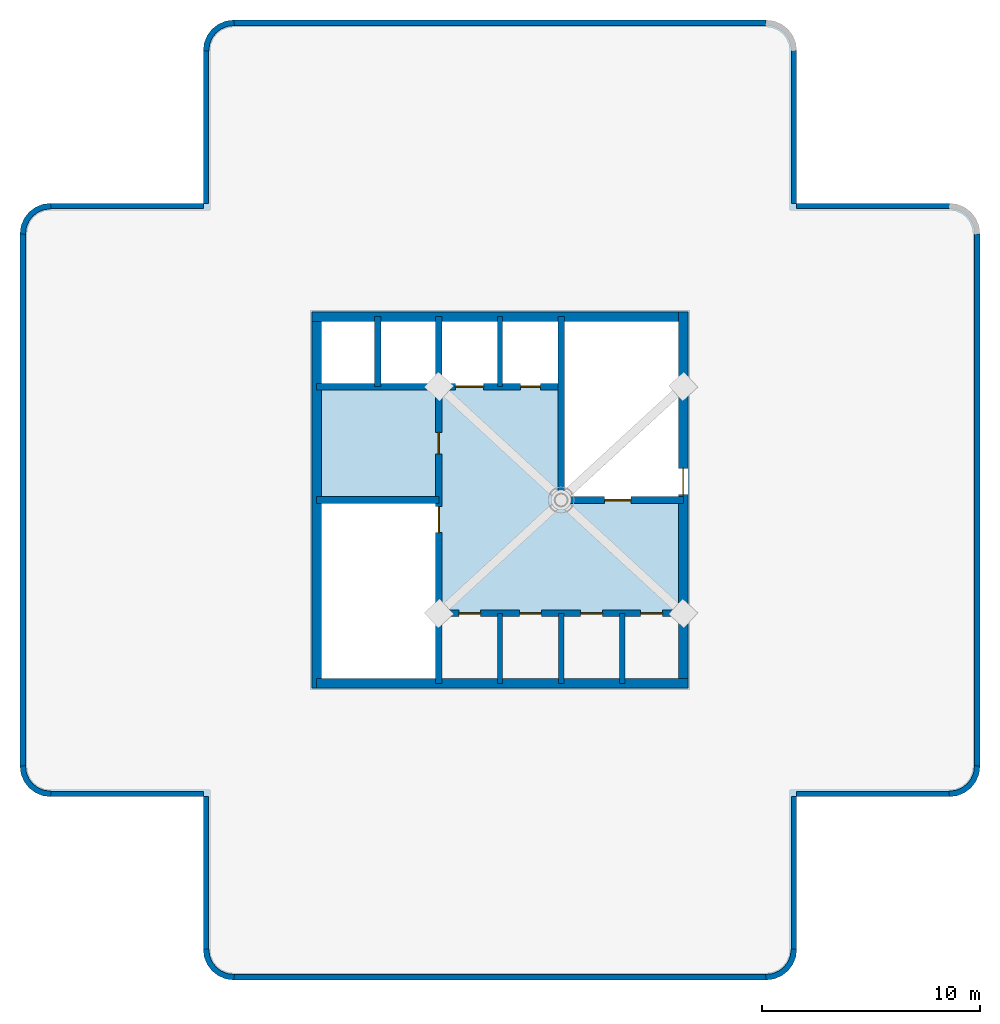
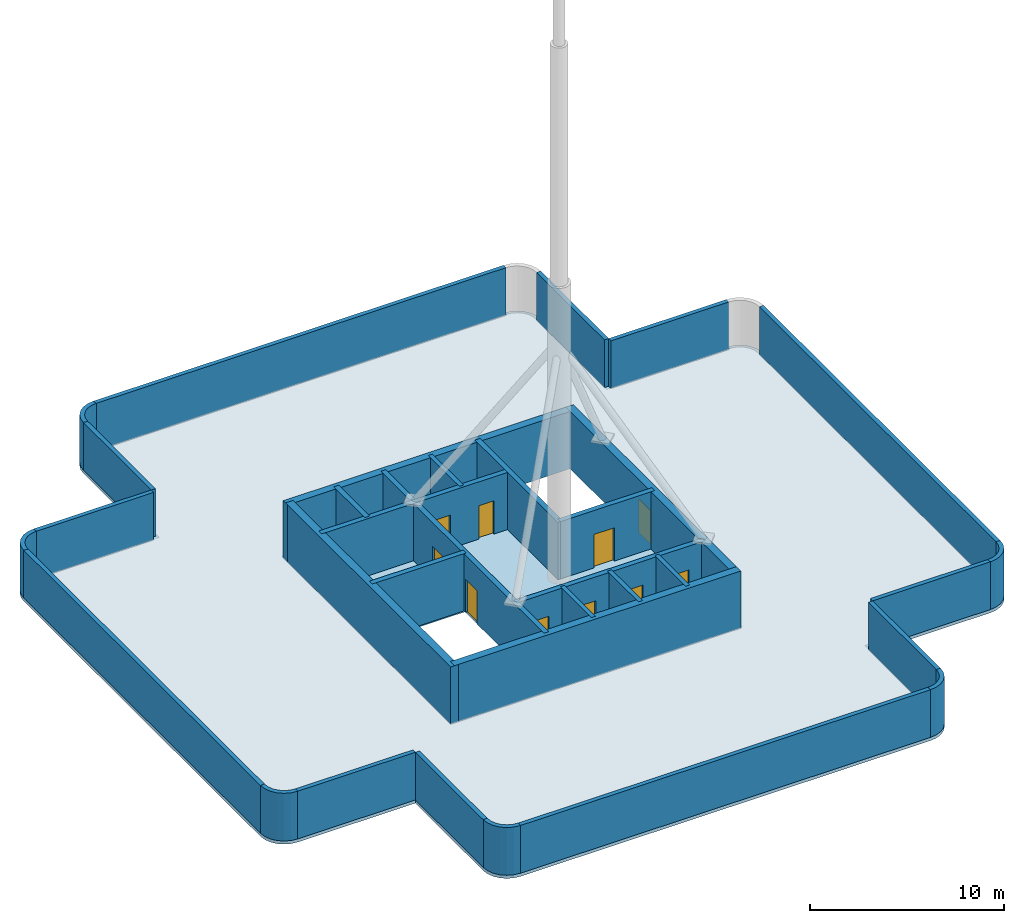
# One storey, part 2 of 4: 33 walls, 10 doors, 3 slabs, 10 openings.
"""IFC4 building model written with IfcOpenShell, lengths in metres."""

from ifc_helpers import new_model, si_unit, direction, frame, frame_2d, origin, place, context, subcontext, project, spatial, polyline, rectangle, outline, extrude, material, layer, layer_set, type_object, element, fill, save


model = new_model("IFC4")

# Units and contexts
model_context = context("Model", 3, precision=1e-05, world=origin(), true_north=direction((0.0, 1.0)))
body_context = subcontext(model_context, "Body", "Model", "MODEL_VIEW")
ifc_project = project(units=[si_unit("LENGTHUNIT", "METRE"), si_unit("AREAUNIT", "SQUARE_METRE"), si_unit("VOLUMEUNIT", "CUBIC_METRE"), si_unit("PLANEANGLEUNIT", "RADIAN"), si_unit("MASSUNIT", "GRAM", prefix="KILO")], contexts=[model_context])

# Site, building, storey
site_placement = place(None, origin())
site = spatial("IfcSite", under=ifc_project, at=site_placement, CompositionType="ELEMENT")
building_placement = place(site_placement, origin())
building = spatial("IfcBuilding", under=site, at=building_placement, Name="Torre Alcanfor", CompositionType="ELEMENT")
storey_placement = place(building_placement, frame((0.0, 0.0, 309.89990234375)))
storey = spatial("IfcBuildingStorey", under=building, at=storey_placement, Name="RF", CompositionType="ELEMENT", Elevation=309.89990234375)

# Slabs
ifc_material_1 = material(Name="Concrete f'c 35 MPa", Category="concrete")
ifc_layer_1 = layer(ifc_material_1, 0.199951171875)
ifc_layer_set_1 = layer_set([ifc_layer_1], Name="Head-house floor 200")
slab_type_1 = type_object("IfcSlabType", Name="Head-house floor 200", PredefinedType="FLOOR", material=ifc_layer_set_1)
slab_1_placement = place(storey_placement, frame((0.0, 0.0, -0.199951171875)))
element("IfcSlab", 1, at=slab_1_placement, inside=storey, type_object=slab_type_1, Name="Head-house floor west", PredefinedType="FLOOR", context=body_context, shape_type="SweptSolid", body=[
    extrude(outline(polyline([(21.0, 29.39990234375), (26.60009765625, 29.39990234375), (26.60009765625, 34.60009765625), (21.0, 34.60009765625), (21.0, 29.39990234375)])), origin(), (0.0, 0.0, 1.0), 0.199951171875),
])
ifc_material_2 = material(Name="Concrete f'c 35 MPa", Category="concrete")
ifc_layer_2 = layer(ifc_material_2, 0.199951171875)
ifc_layer_set_2 = layer_set([ifc_layer_2], Name="Roof plant lobby floor 200")
slab_type_2 = type_object("IfcSlabType", Name="Roof plant lobby floor 200", PredefinedType="FLOOR", material=ifc_layer_set_2)
slab_2_placement = place(storey_placement, frame((0.0, 0.0, -0.199951171875)))
element("IfcSlab", 2, at=slab_2_placement, inside=storey, type_object=slab_type_2, Name="Roof plant lobby floor", PredefinedType="FLOOR", context=body_context, shape_type="SweptSolid", body=[
    extrude(outline(polyline([(37.800048828125, 29.39990234375), (37.800048828125, 24.199951171875), (26.60009765625, 24.199951171875), (26.60009765625, 34.60009765625), (32.199951171875, 34.60009765625), (32.199951171875, 29.39990234375), (37.800048828125, 29.39990234375)])), origin(), (0.0, 0.0, 1.0), 0.199951171875),
])
ifc_material_3 = material(Name="Concrete f'c 35 MPa", Category="concrete")
ifc_layer_3 = layer(ifc_material_3, 0.199951171875)
ifc_layer_set_3 = layer_set([ifc_layer_3], Name="Roof slab 200")
slab_type_3 = type_object("IfcSlabType", Name="Roof slab 200", PredefinedType="ROOF", material=ifc_layer_set_3)
slab_3_placement = place(storey_placement, frame((0.0, 0.0, -0.199951171875)))
element("IfcSlab", 3, at=slab_3_placement, inside=storey, type_object=slab_type_3, Name="Main roof slab", PredefinedType="ROOF", context=body_context, shape_type="SweptSolid", body=[
    extrude(outline(polyline([(15.800048828125, 43.0), (8.800048828125, 43.0), (8.437744140625, 42.952392578125), (8.10009765625, 42.8125), (7.81005859375, 42.58984375), (7.587646484375, 42.300048828125), (7.44775390625, 41.96240234375), (7.39990234375, 41.60009765625), (7.39990234375, 17.199951171875), (7.44775390625, 16.837646484375), (7.587646484375, 16.5), (7.81005859375, 16.210205078125), (8.10009765625, 15.987548828125), (8.437744140625, 15.84765625), (8.800048828125, 15.800048828125), (15.800048828125, 15.800048828125), (15.800048828125, 8.800048828125), (15.84765625, 8.437744140625), (15.987548828125, 8.10009765625), (16.210205078125, 7.81005859375), (16.5, 7.587646484375), (16.837646484375, 7.44775390625), (17.199951171875, 7.39990234375), (41.60009765625, 7.39990234375), (41.96240234375, 7.44775390625), (42.300048828125, 7.587646484375), (42.58984375, 7.81005859375), (42.8125, 8.10009765625), (42.952392578125, 8.437744140625), (43.0, 8.800048828125), (43.0, 15.800048828125), (50.0, 15.800048828125), (50.3623046875, 15.84765625), (50.699951171875, 15.987548828125), (50.989990234375, 16.210205078125), (51.21240234375, 16.5), (51.352294921875, 16.837646484375), (51.39990234375, 17.199951171875), (51.39990234375, 41.60009765625), (51.352294921875, 41.96240234375), (51.21240234375, 42.300048828125), (50.989990234375, 42.58984375), (50.699951171875, 42.8125), (50.3623046875, 42.952392578125), (50.0, 43.0), (43.0, 43.0), (43.0, 50.0), (42.952392578125, 50.3623046875), (42.8125, 50.699951171875), (42.58984375, 50.989990234375), (42.300048828125, 51.21240234375), (41.96240234375, 51.352294921875), (41.60009765625, 51.39990234375), (17.199951171875, 51.39990234375), (16.837646484375, 51.352294921875), (16.5, 51.21240234375), (16.210205078125, 50.989990234375), (15.987548828125, 50.699951171875), (15.84765625, 50.3623046875), (15.800048828125, 50.0), (15.800048828125, 43.0)]), holes=[polyline([(20.77490234375, 20.77490234375), (38.02490234375, 20.77490234375), (38.02490234375, 38.02490234375), (20.77490234375, 38.02490234375), (20.77490234375, 20.77490234375)])]), origin(), (0.0, 0.0, 1.0), 0.199951171875),
])

# Wall, openings, doors
ifc_material_4 = material(Name="Concrete f'c 70 MPa", Category="concrete")
ifc_layer_4 = layer(ifc_material_4, 0.300048828125)
ifc_layer_set_4 = layer_set([ifc_layer_4], Name="Core inner wall 300 f'c70")
wall_type_1 = type_object("IfcWallType", Name="Core inner wall 300 f'c70", PredefinedType="SHEAR", material=ifc_layer_set_4)
wall_1_placement = place(storey_placement, frame((26.60009765625, 21.0, 0.0), z_axis=(0.0, 0.0, 1.0), x_axis=(0.0, 1.0, 0.0)))
wall_1 = element("IfcWall", 4, at=wall_1_placement, inside=storey, type_object=wall_type_1, Name="Core wall X266 RF", PredefinedType="SHEAR", context=body_context, shape_type="SweptSolid", body=[
    extrude(rectangle(XDim=16.800048828125, YDim=0.300048828125, at=frame_2d((8.39990234375, 0.0))), origin(), (0.0, 0.0, 1.0), 3.60009765625),
])
opening_1_placement = place(wall_1_placement, frame((6.89990234375, 0.0, 0.0)))
opening_1 = element("IfcOpeningElement", 5, at=opening_1_placement, cuts=wall_1, Name="Opening D-S5", PredefinedType="OPENING", context=body_context, shape_type="SweptSolid", body=[
    extrude(rectangle(XDim=1.199951171875, YDim=2.10009765625, at=frame_2d((0.60009765625, 1.050048828125))), frame((0.0, 0.159912109375, 0.0), z_axis=(0.0, -1.0, 0.0), x_axis=(1.0, 0.0, 0.0)), (0.0, 0.0, 1.0), 0.320068359375),
])
opening_2_placement = place(wall_1_placement, frame((10.5, 0.0, 0.0)))
opening_2 = element("IfcOpeningElement", 6, at=opening_2_placement, cuts=wall_1, Name="Opening D-K1", PredefinedType="OPENING", context=body_context, shape_type="SweptSolid", body=[
    extrude(rectangle(XDim=1.0, YDim=2.10009765625, at=frame_2d((0.5, 1.050048828125))), frame((0.0, 0.159912109375, 0.0), z_axis=(0.0, -1.0, 0.0), x_axis=(1.0, 0.0, 0.0)), (0.0, 0.0, 1.0), 0.320068359375),
])
ifc_material_5 = material(Name="Galvanised steel sheet ASTM A653", Category="steel")
door_type_1 = type_object("IfcDoorType", Name="Core room door FD60 1000x2100", OperationType="SINGLE_SWING_LEFT", PredefinedType="DOOR", material=ifc_material_5)
door_1_placement = place(opening_2_placement, origin())
door_1 = element("IfcDoor", 7, at=door_1_placement, inside=storey, type_object=door_type_1, Name="Roof plant store door RF", OperationType="SINGLE_SWING_LEFT", OverallHeight=2.10009765625, OverallWidth=1.0, PredefinedType="DOOR", context=body_context, shape_type="SweptSolid", body=[
    extrude(rectangle(XDim=1.0, YDim=2.10009765625, at=frame_2d((0.5, 1.050048828125))), frame((0.0, 0.02490234375, 0.0), z_axis=(0.0, -1.0, 0.0), x_axis=(1.0, 0.0, 0.0)), (0.0, 0.0, 1.0), 0.050048828125),
])
fill(opening_2, door_1)
ifc_material_6 = material(Name="Galvanised steel sheet ASTM A653", Category="steel")
door_type_2 = type_object("IfcDoorType", Name="Stair door FD120 1200x2100", OperationType="SINGLE_SWING_LEFT", PredefinedType="DOOR", material=ifc_material_6)
door_2_placement = place(opening_1_placement, origin())
door_2 = element("IfcDoor", 8, at=door_2_placement, inside=storey, type_object=door_type_2, Name="Stair S1 door RF", OperationType="SINGLE_SWING_RIGHT", OverallHeight=2.10009765625, OverallWidth=1.199951171875, PredefinedType="DOOR", context=body_context, shape_type="SweptSolid", body=[
    extrude(rectangle(XDim=1.199951171875, YDim=2.10009765625, at=frame_2d((0.60009765625, 1.050048828125))), frame((0.0, 0.02490234375, 0.0), z_axis=(0.0, -1.0, 0.0), x_axis=(1.0, 0.0, 0.0)), (0.0, 0.0, 1.0), 0.050048828125),
])
fill(opening_1, door_2)

# Wall
wall_2_placement = place(storey_placement, frame((21.0, 29.39990234375, 0.0), z_axis=(0.0, 0.0, 1.0), x_axis=(1.0, 0.0, 0.0)))
element("IfcWall", 9, at=wall_2_placement, inside=storey, type_object=wall_type_1, Name="Core wall Y294W RF", PredefinedType="SHEAR", context=body_context, shape_type="SweptSolid", body=[
    extrude(rectangle(XDim=5.60009765625, YDim=0.300048828125, at=frame_2d((2.800048828125, 0.0))), origin(), (0.0, 0.0, 1.0), 3.60009765625),
])

# Wall, openings, doors
wall_3_placement = place(storey_placement, frame((21.0, 34.60009765625, 0.0), z_axis=(0.0, 0.0, 1.0), x_axis=(1.0, 0.0, 0.0)))
wall_3 = element("IfcWall", 10, at=wall_3_placement, inside=storey, type_object=wall_type_1, Name="Core wall Y346 RF", PredefinedType="SHEAR", context=body_context, shape_type="SweptSolid", body=[
    extrude(rectangle(XDim=11.199951171875, YDim=0.300048828125, at=frame_2d((5.60009765625, 0.0))), origin(), (0.0, 0.0, 1.0), 3.60009765625),
])
opening_3_placement = place(wall_3_placement, frame((9.35009765625, 0.0, 0.0)))
opening_3 = element("IfcOpeningElement", 11, at=opening_3_placement, cuts=wall_3, Name="Opening D-Q1", PredefinedType="OPENING", context=body_context, shape_type="SweptSolid", body=[
    extrude(rectangle(XDim=0.89990234375, YDim=2.10009765625, at=frame_2d((0.449951171875, 1.050048828125))), frame((0.0, 0.159912109375, 0.0), z_axis=(0.0, -1.0, 0.0), x_axis=(1.0, 0.0, 0.0)), (0.0, 0.0, 1.0), 0.320068359375),
])
opening_4_placement = place(wall_3_placement, frame((6.35009765625, 0.0, 0.0)))
opening_4 = element("IfcOpeningElement", 12, at=opening_4_placement, cuts=wall_3, Name="Opening LD3", PredefinedType="OPENING", context=body_context, shape_type="SweptSolid", body=[
    extrude(rectangle(XDim=1.300048828125, YDim=2.10009765625, at=frame_2d((0.64990234375, 1.050048828125))), frame((0.0, 0.159912109375, 0.0), z_axis=(0.0, -1.0, 0.0), x_axis=(1.0, 0.0, 0.0)), (0.0, 0.0, 1.0), 0.320068359375),
])
ifc_material_7 = material(Name="Galvanised steel sheet ASTM A653", Category="steel")
door_type_3 = type_object("IfcDoorType", Name="Riser access door FD120 900x2100", OperationType="SINGLE_SWING_LEFT", PredefinedType="DOOR", material=ifc_material_7)
door_3_placement = place(opening_3_placement, origin())
door_3 = element("IfcDoor", 13, at=door_3_placement, inside=storey, type_object=door_type_3, Name="Riser door RF", OperationType="SINGLE_SWING_LEFT", OverallHeight=2.10009765625, OverallWidth=0.89990234375, PredefinedType="DOOR", context=body_context, shape_type="SweptSolid", body=[
    extrude(rectangle(XDim=0.89990234375, YDim=2.10009765625, at=frame_2d((0.449951171875, 1.050048828125))), frame((0.0, 0.02490234375, 0.0), z_axis=(0.0, -1.0, 0.0), x_axis=(1.0, 0.0, 0.0)), (0.0, 0.0, 1.0), 0.050048828125),
])
fill(opening_3, door_3)
ifc_material_8 = material(Name="Galvanised steel sheet ASTM A653", Category="steel")
door_type_4 = type_object("IfcDoorType", Name="Service lift landing door 1300x2100", OperationType="DOUBLE_DOOR_SLIDING", PredefinedType="DOOR", material=ifc_material_8)
door_4_placement = place(opening_4_placement, origin())
door_4 = element("IfcDoor", 14, at=door_4_placement, inside=storey, type_object=door_type_4, Name="Lift landing door SL1 RF", OperationType="DOUBLE_DOOR_SLIDING", OverallHeight=2.10009765625, OverallWidth=1.300048828125, PredefinedType="DOOR", context=body_context, shape_type="SweptSolid", body=[
    extrude(rectangle(XDim=1.300048828125, YDim=2.10009765625, at=frame_2d((0.64990234375, 1.050048828125))), frame((0.0, 0.02490234375, 0.0), z_axis=(0.0, -1.0, 0.0), x_axis=(1.0, 0.0, 0.0)), (0.0, 0.0, 1.0), 0.050048828125),
])
fill(opening_4, door_4)

# Wall
wall_4_placement = place(storey_placement, frame((23.800048828125, 34.60009765625, 0.0), z_axis=(0.0, 0.0, 1.0), x_axis=(0.0, 1.0, 0.0)))
element("IfcWall", 15, at=wall_4_placement, inside=storey, type_object=wall_type_1, Name="Core wall X238 RF", PredefinedType="SHEAR", context=body_context, shape_type="SweptSolid", body=[
    extrude(rectangle(XDim=3.199951171875, YDim=0.300048828125, at=frame_2d((1.60009765625, 0.0))), origin(), (0.0, 0.0, 1.0), 3.60009765625),
])

# Wall, openings, doors
wall_5_placement = place(storey_placement, frame((26.60009765625, 24.199951171875, 0.0), z_axis=(0.0, 0.0, 1.0), x_axis=(1.0, 0.0, 0.0)))
wall_5 = element("IfcWall", 16, at=wall_5_placement, inside=storey, type_object=wall_type_1, Name="Core wall Y242 RF", PredefinedType="SHEAR", context=body_context, shape_type="SweptSolid", body=[
    extrude(rectangle(XDim=11.199951171875, YDim=0.300048828125, at=frame_2d((5.60009765625, 0.0))), origin(), (0.0, 0.0, 1.0), 3.60009765625),
])
opening_5_placement = place(wall_5_placement, frame((6.5, 0.0, 0.0)))
opening_5 = element("IfcOpeningElement", 17, at=opening_5_placement, cuts=wall_5, Name="Opening D-K1", PredefinedType="OPENING", context=body_context, shape_type="SweptSolid", body=[
    extrude(rectangle(XDim=1.0, YDim=2.10009765625, at=frame_2d((0.5, 1.050048828125))), frame((0.0, 0.159912109375, 0.0), z_axis=(0.0, -1.0, 0.0), x_axis=(1.0, 0.0, 0.0)), (0.0, 0.0, 1.0), 0.320068359375),
])
opening_6_placement = place(wall_5_placement, frame((9.25, 0.0, 0.0)))
opening_6 = element("IfcOpeningElement", 18, at=opening_6_placement, cuts=wall_5, Name="Opening D-K1", PredefinedType="OPENING", context=body_context, shape_type="SweptSolid", body=[
    extrude(rectangle(XDim=1.0, YDim=2.10009765625, at=frame_2d((0.5, 1.050048828125))), frame((0.0, 0.159912109375, 0.0), z_axis=(0.0, -1.0, 0.0), x_axis=(1.0, 0.0, 0.0)), (0.0, 0.0, 1.0), 0.320068359375),
])
opening_7_placement = place(wall_5_placement, frame((0.91259765625, 0.0, 0.0)))
opening_7 = element("IfcOpeningElement", 19, at=opening_7_placement, cuts=wall_5, Name="Opening D-K1", PredefinedType="OPENING", context=body_context, shape_type="SweptSolid", body=[
    extrude(rectangle(XDim=1.0, YDim=2.10009765625, at=frame_2d((0.5, 1.050048828125))), frame((0.0, 0.159912109375, 0.0), z_axis=(0.0, -1.0, 0.0), x_axis=(1.0, 0.0, 0.0)), (0.0, 0.0, 1.0), 0.320068359375),
])
opening_8_placement = place(wall_5_placement, frame((3.699951171875, 0.0, 0.0)))
opening_8 = element("IfcOpeningElement", 20, at=opening_8_placement, cuts=wall_5, Name="Opening D-K1", PredefinedType="OPENING", context=body_context, shape_type="SweptSolid", body=[
    extrude(rectangle(XDim=1.0, YDim=2.10009765625, at=frame_2d((0.5, 1.050048828125))), frame((0.0, 0.159912109375, 0.0), z_axis=(0.0, -1.0, 0.0), x_axis=(1.0, 0.0, 0.0)), (0.0, 0.0, 1.0), 0.320068359375),
])
door_5_placement = place(opening_5_placement, frame((1.0, 0.0, 0.0), z_axis=(0.0, 0.0, 1.0), x_axis=(-1.0, 0.0, 0.0)))
door_5 = element("IfcDoor", 21, at=door_5_placement, inside=storey, type_object=door_type_1, Name="Roof maintenance store door RF", OperationType="SINGLE_SWING_RIGHT", OverallHeight=2.10009765625, OverallWidth=1.0, PredefinedType="DOOR", context=body_context, shape_type="SweptSolid", body=[
    extrude(rectangle(XDim=1.0, YDim=2.10009765625, at=frame_2d((0.5, 1.050048828125))), frame((0.0, 0.025146484375, 0.0), z_axis=(0.0, -1.0, 0.0), x_axis=(1.0, 0.0, 0.0)), (0.0, 0.0, 1.0), 0.050048828125),
])
fill(opening_5, door_5)
door_6_placement = place(opening_6_placement, frame((1.0, 0.0, 0.0), z_axis=(0.0, 0.0, 1.0), x_axis=(-1.0, 0.0, 0.0)))
door_6 = element("IfcDoor", 22, at=door_6_placement, inside=storey, type_object=door_type_1, Name="Roof plant spares store door RF", OperationType="SINGLE_SWING_RIGHT", OverallHeight=2.10009765625, OverallWidth=1.0, PredefinedType="DOOR", context=body_context, shape_type="SweptSolid", body=[
    extrude(rectangle(XDim=1.0, YDim=2.10009765625, at=frame_2d((0.5, 1.050048828125))), frame((0.0, 0.025146484375, 0.0), z_axis=(0.0, -1.0, 0.0), x_axis=(1.0, 0.0, 0.0)), (0.0, 0.0, 1.0), 0.050048828125),
])
fill(opening_6, door_6)
door_7_placement = place(opening_7_placement, frame((1.0, 0.0, 0.0), z_axis=(0.0, 0.0, 1.0), x_axis=(-1.0, 0.0, 0.0)))
door_7 = element("IfcDoor", 23, at=door_7_placement, inside=storey, type_object=door_type_1, Name="Roof safety equipment store door RF", OperationType="SINGLE_SWING_RIGHT", OverallHeight=2.10009765625, OverallWidth=1.0, PredefinedType="DOOR", context=body_context, shape_type="SweptSolid", body=[
    extrude(rectangle(XDim=1.0, YDim=2.10009765625, at=frame_2d((0.5, 1.050048828125))), frame((0.0, 0.025146484375, 0.0), z_axis=(0.0, -1.0, 0.0), x_axis=(1.0, 0.0, 0.0)), (0.0, 0.0, 1.0), 0.050048828125),
])
fill(opening_7, door_7)
door_8_placement = place(opening_8_placement, frame((1.0, 0.0, 0.0), z_axis=(0.0, 0.0, 1.0), x_axis=(-1.0, 0.0, 0.0)))
door_8 = element("IfcDoor", 24, at=door_8_placement, inside=storey, type_object=door_type_1, Name="Window cleaning equipment store door RF", OperationType="SINGLE_SWING_RIGHT", OverallHeight=2.10009765625, OverallWidth=1.0, PredefinedType="DOOR", context=body_context, shape_type="SweptSolid", body=[
    extrude(rectangle(XDim=1.0, YDim=2.10009765625, at=frame_2d((0.5, 1.050048828125))), frame((0.0, 0.025146484375, 0.0), z_axis=(0.0, -1.0, 0.0), x_axis=(1.0, 0.0, 0.0)), (0.0, 0.0, 1.0), 0.050048828125),
])
fill(opening_8, door_8)

# Wall
wall_6_placement = place(storey_placement, frame((32.199951171875, 29.25, 0.0), z_axis=(0.0, 0.0, 1.0), x_axis=(0.0, 1.0, 0.0)))
element("IfcWall", 25, at=wall_6_placement, inside=storey, type_object=wall_type_1, Name="Core wall X322N RF", PredefinedType="SHEAR", context=body_context, shape_type="SweptSolid", body=[
    extrude(rectangle(XDim=8.550048828125, YDim=0.300048828125, at=frame_2d((4.27490234375, 0.0))), origin(), (0.0, 0.0, 1.0), 3.60009765625),
])

# Wall, opening, door
wall_7_placement = place(storey_placement, frame((32.199951171875, 29.39990234375, 0.0), z_axis=(0.0, 0.0, 1.0), x_axis=(1.0, 0.0, 0.0)))
wall_7 = element("IfcWall", 26, at=wall_7_placement, inside=storey, type_object=wall_type_1, Name="Core wall Y294E RF", PredefinedType="SHEAR", context=body_context, shape_type="SweptSolid", body=[
    extrude(rectangle(XDim=5.60009765625, YDim=0.300048828125, at=frame_2d((2.800048828125, 0.0))), origin(), (0.0, 0.0, 1.0), 3.60009765625),
])
opening_9_placement = place(wall_7_placement, frame((2.0, 0.0, 0.0)))
opening_9 = element("IfcOpeningElement", 27, at=opening_9_placement, cuts=wall_7, Name="Opening D-S5", PredefinedType="OPENING", context=body_context, shape_type="SweptSolid", body=[
    extrude(rectangle(XDim=1.199951171875, YDim=2.10009765625, at=frame_2d((0.60009765625, 1.050048828125))), frame((0.0, 0.159912109375, 0.0), z_axis=(0.0, -1.0, 0.0), x_axis=(1.0, 0.0, 0.0)), (0.0, 0.0, 1.0), 0.320068359375),
])
door_9_placement = place(opening_9_placement, origin())
door_9 = element("IfcDoor", 28, at=door_9_placement, inside=storey, type_object=door_type_2, Name="Stair S2 door RF", OperationType="SINGLE_SWING_LEFT", OverallHeight=2.10009765625, OverallWidth=1.199951171875, PredefinedType="DOOR", context=body_context, shape_type="SweptSolid", body=[
    extrude(rectangle(XDim=1.199951171875, YDim=2.10009765625, at=frame_2d((0.60009765625, 1.050048828125))), frame((0.0, 0.02490234375, 0.0), z_axis=(0.0, -1.0, 0.0), x_axis=(1.0, 0.0, 0.0)), (0.0, 0.0, 1.0), 0.050048828125),
])
fill(opening_9, door_9)

# Walls
ifc_material_9 = material(Name="Concrete f'c 70 MPa", Category="concrete")
ifc_layer_5 = layer(ifc_material_9, 0.25)
ifc_layer_set_5 = layer_set([ifc_layer_5], Name="Core shaft wall 250 f'c70")
wall_type_2 = type_object("IfcWallType", Name="Core shaft wall 250 f'c70", PredefinedType="SHEAR", material=ifc_layer_set_5)
for number, where, z_axis, x_axis, name in (
    (29, (29.39990234375, 21.0, 0.0), (0.0, 0.0, 1.0), (0.0, 1.0, 0.0), "Core wall X294S RF"),
    (30, (32.199951171875, 21.0, 0.0), (0.0, 0.0, 1.0), (0.0, 1.0, 0.0), "Core wall X322S RF"),
    (31, (35.0, 21.0, 0.0), (0.0, 0.0, 1.0), (0.0, 1.0, 0.0), "Core wall X350S RF"),
    (32, (29.39990234375, 34.60009765625, 0.0), (0.0, 0.0, 1.0), (0.0, 1.0, 0.0), "Core wall X294N RF"),
):
    element("IfcWall", number, at=place(storey_placement, frame(where, z_axis=z_axis, x_axis=x_axis)), inside=storey, type_object=wall_type_2, Name=name, PredefinedType="SHEAR", context=body_context, shape_type="SweptSolid", body=[
        extrude(rectangle(XDim=3.199951171875, YDim=0.25, at=frame_2d((1.60009765625, 0.0))), origin(), (0.0, 0.0, 1.0), 3.60009765625),
    ])
ifc_material_10 = material(Name="Concrete f'c 70 MPa", Category="concrete")
ifc_layer_6 = layer(ifc_material_10, 0.449951171875)
ifc_layer_set_6 = layer_set([ifc_layer_6], Name="Core wall 450 f'c70")
wall_type_3 = type_object("IfcWallType", Name="Core wall 450 f'c70", PredefinedType="SHEAR", material=ifc_layer_set_6)
wall_8_placement = place(storey_placement, frame((21.0, 21.0, 0.0), z_axis=(0.0, 0.0, 1.0), x_axis=(1.0, 0.0, 0.0)))
element("IfcWall", 33, at=wall_8_placement, inside=storey, type_object=wall_type_3, Name="Core wall OUT-S RF", PredefinedType="SHEAR", context=body_context, shape_type="SweptSolid", body=[
    extrude(rectangle(XDim=17.02490234375, YDim=0.449951171875, at=frame_2d((8.512451171875, 0.0))), origin(), (0.0, 0.0, 1.0), 3.60009765625),
])

# Wall, opening, door
wall_9_placement = place(storey_placement, frame((37.800048828125, 21.0, 0.0), z_axis=(0.0, 0.0, 1.0), x_axis=(0.0, 1.0, 0.0)))
wall_9 = element("IfcWall", 34, at=wall_9_placement, inside=storey, type_object=wall_type_3, Name="Core wall OUT-E RF", PredefinedType="SHEAR", context=body_context, shape_type="SweptSolid", body=[
    extrude(rectangle(XDim=17.02490234375, YDim=0.449951171875, at=frame_2d((8.512451171875, 0.0))), origin(), (0.0, 0.0, 1.0), 3.60009765625),
])
opening_10_placement = place(wall_9_placement, frame((8.64990234375, 0.0, 0.0)))
opening_10 = element("IfcOpeningElement", 35, at=opening_10_placement, cuts=wall_9, Name="Opening D-S3", PredefinedType="OPENING", context=body_context, shape_type="SweptSolid", body=[
    extrude(rectangle(XDim=1.199951171875, YDim=2.10009765625, at=frame_2d((0.60009765625, 1.050048828125))), frame((0.0, 0.23486328125, 0.0), z_axis=(0.0, -1.0, 0.0), x_axis=(1.0, 0.0, 0.0)), (0.0, 0.0, 1.0), 0.469970703125),
])
ifc_material_11 = material(Name="Galvanised steel sheet ASTM A653", Category="steel")
door_type_5 = type_object("IfcDoorType", Name="Roof access door FD120 1200x2100", OperationType="SINGLE_SWING_LEFT", PredefinedType="DOOR", material=ifc_material_11)
door_10_placement = place(opening_10_placement, origin())
door_10 = element("IfcDoor", 36, at=door_10_placement, inside=storey, type_object=door_type_5, Name="Roof access door from stair S2", OperationType="SINGLE_SWING_LEFT", OverallHeight=2.10009765625, OverallWidth=1.199951171875, PredefinedType="DOOR", context=body_context, shape_type="SweptSolid", body=[
    extrude(rectangle(XDim=1.199951171875, YDim=2.10009765625, at=frame_2d((0.60009765625, 1.050048828125))), frame((0.0, 0.02490234375, 0.0), z_axis=(0.0, -1.0, 0.0), x_axis=(1.0, 0.0, 0.0)), (0.0, 0.0, 1.0), 0.050048828125),
])
fill(opening_10, door_10)

# Walls
for number, where, z_axis, x_axis, name in (
    (37, (37.800048828125, 37.800048828125, 0.0), (0.0, 0.0, 1.0), (-1.0, 0.0, 0.0), "Core wall OUT-N RF"),
    (38, (21.0, 37.800048828125, 0.0), (0.0, 0.0, 1.0), (0.0, -1.0, 0.0), "Core wall OUT-W RF"),
):
    element("IfcWall", number, at=place(storey_placement, frame(where, z_axis=z_axis, x_axis=x_axis)), inside=storey, type_object=wall_type_3, Name=name, PredefinedType="SHEAR", context=body_context, shape_type="SweptSolid", body=[
        extrude(rectangle(XDim=17.025146484375, YDim=0.449951171875, at=frame_2d((8.5126953125, 0.0))), origin(), (0.0, 0.0, 1.0), 3.60009765625),
    ])
ifc_material_12 = material(Name="Limestone cladding", Category="masonry")
ifc_layer_7 = layer(ifc_material_12, 0.0400390625, Name="Facing")
ifc_material_13 = material(Name="Ventilated air cavity")
ifc_layer_8 = layer(ifc_material_13, 0.02001953125, ventilated=True, Name="Ventilated joint")
ifc_material_14 = material(Name="Concrete f'c 35 MPa", Category="concrete")
ifc_layer_9 = layer(ifc_material_14, 0.18994140625, Name="Backing")
ifc_layer_set_7 = layer_set([ifc_layer_7, ifc_layer_8, ifc_layer_9], Name="Parapet stone-clad 250")
wall_type_4 = type_object("IfcWallType", Name="Parapet stone-clad 250", PredefinedType="PARAPET", material=ifc_layer_set_7)
wall_10_placement = place(storey_placement, frame((15.800048828125, 42.875, 0.0), z_axis=(0.0, 0.0, 1.0), x_axis=(-1.0, 0.0, 0.0)))
element("IfcWall", 39, at=wall_10_placement, inside=storey, type_object=wall_type_4, Name="Roof parapet 1", PredefinedType="PARAPET", context=body_context, shape_type="SweptSolid", body=[
    extrude(rectangle(XDim=7.0, YDim=0.25, at=frame_2d((3.5, 0.0))), origin(), (0.0, 0.0, 1.0), 3.0),
])
wall_11_placement = place(storey_placement, frame((7.52490234375, 41.60009765625, 0.0), z_axis=(0.0, 0.0, 1.0), x_axis=(0.0, -1.0, 0.0)))
element("IfcWall", 40, at=wall_11_placement, inside=storey, type_object=wall_type_4, Name="Roof parapet 2", PredefinedType="PARAPET", context=body_context, shape_type="SweptSolid", body=[
    extrude(rectangle(XDim=24.400146484375, YDim=0.25, at=frame_2d((12.2001953125, 0.0))), origin(), (0.0, 0.0, 1.0), 3.0),
])
for number, where, z_axis, x_axis, name in (
    (41, (8.800048828125, 15.925048828125, 0.0), (0.0, 0.0, 1.0), (1.0, 0.0, 0.0), "Roof parapet 3"),
    (42, (15.925048828125, 15.800048828125, 0.0), (0.0, 0.0, 1.0), (0.0, -1.0, 0.0), "Roof parapet 4"),
):
    element("IfcWall", number, at=place(storey_placement, frame(where, z_axis=z_axis, x_axis=x_axis)), inside=storey, type_object=wall_type_4, Name=name, PredefinedType="PARAPET", context=body_context, shape_type="SweptSolid", body=[
        extrude(rectangle(XDim=7.0, YDim=0.25, at=frame_2d((3.5, 0.0))), origin(), (0.0, 0.0, 1.0), 3.0),
    ])
wall_12_placement = place(storey_placement, frame((17.199951171875, 7.52490234375, 0.0), z_axis=(0.0, 0.0, 1.0), x_axis=(1.0, 0.0, 0.0)))
element("IfcWall", 43, at=wall_12_placement, inside=storey, type_object=wall_type_4, Name="Roof parapet 5", PredefinedType="PARAPET", context=body_context, shape_type="SweptSolid", body=[
    extrude(rectangle(XDim=24.400146484375, YDim=0.25, at=frame_2d((12.2001953125, 0.0))), origin(), (0.0, 0.0, 1.0), 3.0),
])
for number, where, z_axis, x_axis, name in (
    (44, (42.875, 8.800048828125, 0.0), (0.0, 0.0, 1.0), (0.0, 1.0, 0.0), "Roof parapet 6"),
    (45, (43.0, 15.925048828125, 0.0), (0.0, 0.0, 1.0), (1.0, 0.0, 0.0), "Roof parapet 7"),
):
    element("IfcWall", number, at=place(storey_placement, frame(where, z_axis=z_axis, x_axis=x_axis)), inside=storey, type_object=wall_type_4, Name=name, PredefinedType="PARAPET", context=body_context, shape_type="SweptSolid", body=[
        extrude(rectangle(XDim=7.0, YDim=0.25, at=frame_2d((3.5, 0.0))), origin(), (0.0, 0.0, 1.0), 3.0),
    ])
wall_13_placement = place(storey_placement, frame((51.27490234375, 17.199951171875, 0.0), z_axis=(0.0, 0.0, 1.0), x_axis=(0.0, 1.0, 0.0)))
element("IfcWall", 46, at=wall_13_placement, inside=storey, type_object=wall_type_4, Name="Roof parapet 8", PredefinedType="PARAPET", context=body_context, shape_type="SweptSolid", body=[
    extrude(rectangle(XDim=24.400146484375, YDim=0.25, at=frame_2d((12.2001953125, 0.0))), origin(), (0.0, 0.0, 1.0), 3.0),
])
for number, where, z_axis, x_axis, name in (
    (47, (50.0, 42.875, 0.0), (0.0, 0.0, 1.0), (-1.0, 0.0, 0.0), "Roof parapet 9"),
    (48, (42.875, 43.0, 0.0), (0.0, 0.0, 1.0), (0.0, 1.0, 0.0), "Roof parapet 10"),
):
    element("IfcWall", number, at=place(storey_placement, frame(where, z_axis=z_axis, x_axis=x_axis)), inside=storey, type_object=wall_type_4, Name=name, PredefinedType="PARAPET", context=body_context, shape_type="SweptSolid", body=[
        extrude(rectangle(XDim=7.0, YDim=0.25, at=frame_2d((3.5, 0.0))), origin(), (0.0, 0.0, 1.0), 3.0),
    ])
wall_14_placement = place(storey_placement, frame((41.60009765625, 51.27490234375, 0.0), z_axis=(0.0, 0.0, 1.0), x_axis=(-1.0, 0.0, 0.0)))
element("IfcWall", 49, at=wall_14_placement, inside=storey, type_object=wall_type_4, Name="Roof parapet 11", PredefinedType="PARAPET", context=body_context, shape_type="SweptSolid", body=[
    extrude(rectangle(XDim=24.400146484375, YDim=0.25, at=frame_2d((12.2001953125, 0.0))), origin(), (0.0, 0.0, 1.0), 3.0),
])
wall_15_placement = place(storey_placement, frame((15.925048828125, 50.0, 0.0), z_axis=(0.0, 0.0, 1.0), x_axis=(0.0, -1.0, 0.0)))
element("IfcWall", 50, at=wall_15_placement, inside=storey, type_object=wall_type_4, Name="Roof parapet 12", PredefinedType="PARAPET", context=body_context, shape_type="SweptSolid", body=[
    extrude(rectangle(XDim=7.0, YDim=0.25, at=frame_2d((3.5, 0.0))), origin(), (0.0, 0.0, 1.0), 3.0),
])
wall_16_placement = place(storey_placement, origin())
element("IfcWall", 51, at=wall_16_placement, inside=storey, type_object=wall_type_4, Name="Roof parapet corner 13", PredefinedType="PARAPET", context=body_context, shape_type="SweptSolid", body=[
    extrude(outline(polyline([(7.39990234375, 41.60009765625), (7.64990234375, 41.567138671875), (7.64990234375, 41.58349609375), (7.69140625, 41.89697265625), (7.805908203125, 42.173828125), (7.98828125, 42.41162109375), (8.22607421875, 42.593994140625), (8.5029296875, 42.708740234375), (8.81640625, 42.75), (8.8330078125, 42.75), (8.800048828125, 43.0), (8.437744140625, 42.952392578125), (8.10009765625, 42.8125), (7.81005859375, 42.58984375), (7.587646484375, 42.300048828125), (7.44775390625, 41.96240234375), (7.39990234375, 41.60009765625)])), origin(), (0.0, 0.0, 1.0), 3.0),
])
wall_17_placement = place(storey_placement, origin())
element("IfcWall", 52, at=wall_17_placement, inside=storey, type_object=wall_type_4, Name="Roof parapet corner 14", PredefinedType="PARAPET", context=body_context, shape_type="SweptSolid", body=[
    extrude(outline(polyline([(8.800048828125, 15.800048828125), (8.8330078125, 16.050048828125), (8.81640625, 16.050048828125), (8.5029296875, 16.09130859375), (8.22607421875, 16.2060546875), (7.98828125, 16.388427734375), (7.805908203125, 16.626220703125), (7.69140625, 16.903076171875), (7.64990234375, 17.21630859375), (7.64990234375, 17.23291015625), (7.39990234375, 17.199951171875), (7.44775390625, 16.837646484375), (7.587646484375, 16.5), (7.81005859375, 16.210205078125), (8.10009765625, 15.987548828125), (8.437744140625, 15.84765625), (8.800048828125, 15.800048828125)])), origin(), (0.0, 0.0, 1.0), 3.0),
])
wall_18_placement = place(storey_placement, origin())
element("IfcWall", 53, at=wall_18_placement, inside=storey, type_object=wall_type_4, Name="Roof parapet corner 15", PredefinedType="PARAPET", context=body_context, shape_type="SweptSolid", body=[
    extrude(outline(polyline([(17.199951171875, 7.39990234375), (17.23291015625, 7.64990234375), (17.21630859375, 7.64990234375), (16.903076171875, 7.69140625), (16.626220703125, 7.805908203125), (16.388427734375, 7.98828125), (16.2060546875, 8.22607421875), (16.09130859375, 8.5029296875), (16.050048828125, 8.81640625), (16.050048828125, 8.8330078125), (15.800048828125, 8.800048828125), (15.84765625, 8.437744140625), (15.987548828125, 8.10009765625), (16.210205078125, 7.81005859375), (16.5, 7.587646484375), (16.837646484375, 7.44775390625), (17.199951171875, 7.39990234375)])), origin(), (0.0, 0.0, 1.0), 3.0),
])
wall_19_placement = place(storey_placement, origin())
element("IfcWall", 54, at=wall_19_placement, inside=storey, type_object=wall_type_4, Name="Roof parapet corner 16", PredefinedType="PARAPET", context=body_context, shape_type="SweptSolid", body=[
    extrude(outline(polyline([(43.0, 8.800048828125), (42.75, 8.8330078125), (42.75, 8.81640625), (42.708740234375, 8.5029296875), (42.593994140625, 8.22607421875), (42.41162109375, 7.98828125), (42.173828125, 7.805908203125), (41.89697265625, 7.69140625), (41.58349609375, 7.64990234375), (41.567138671875, 7.64990234375), (41.60009765625, 7.39990234375), (41.96240234375, 7.44775390625), (42.300048828125, 7.587646484375), (42.58984375, 7.81005859375), (42.8125, 8.10009765625), (42.952392578125, 8.437744140625), (43.0, 8.800048828125)])), origin(), (0.0, 0.0, 1.0), 3.0),
])
wall_20_placement = place(storey_placement, origin())
element("IfcWall", 55, at=wall_20_placement, inside=storey, type_object=wall_type_4, Name="Roof parapet corner 17", PredefinedType="PARAPET", context=body_context, shape_type="SweptSolid", body=[
    extrude(outline(polyline([(51.39990234375, 17.199951171875), (51.14990234375, 17.23291015625), (51.14990234375, 17.21630859375), (51.108642578125, 16.903076171875), (50.993896484375, 16.626220703125), (50.8115234375, 16.388427734375), (50.573974609375, 16.2060546875), (50.297119140625, 16.09130859375), (49.983642578125, 16.050048828125), (49.967041015625, 16.050048828125), (50.0, 15.800048828125), (50.3623046875, 15.84765625), (50.699951171875, 15.987548828125), (50.989990234375, 16.210205078125), (51.21240234375, 16.5), (51.352294921875, 16.837646484375), (51.39990234375, 17.199951171875)])), origin(), (0.0, 0.0, 1.0), 3.0),
])
wall_21_placement = place(storey_placement, origin())
element("IfcWall", 56, at=wall_21_placement, inside=storey, type_object=wall_type_4, Name="Roof parapet corner 20", PredefinedType="PARAPET", context=body_context, shape_type="SweptSolid", body=[
    extrude(outline(polyline([(15.800048828125, 50.0), (16.050048828125, 49.967041015625), (16.050048828125, 49.983642578125), (16.09130859375, 50.297119140625), (16.2060546875, 50.573974609375), (16.388427734375, 50.8115234375), (16.626220703125, 50.993896484375), (16.903076171875, 51.108642578125), (17.21630859375, 51.14990234375), (17.23291015625, 51.14990234375), (17.199951171875, 51.39990234375), (16.837646484375, 51.352294921875), (16.5, 51.21240234375), (16.210205078125, 50.989990234375), (15.987548828125, 50.699951171875), (15.84765625, 50.3623046875), (15.800048828125, 50.0)])), origin(), (0.0, 0.0, 1.0), 3.0),
])

save(model, "model.ifc")
